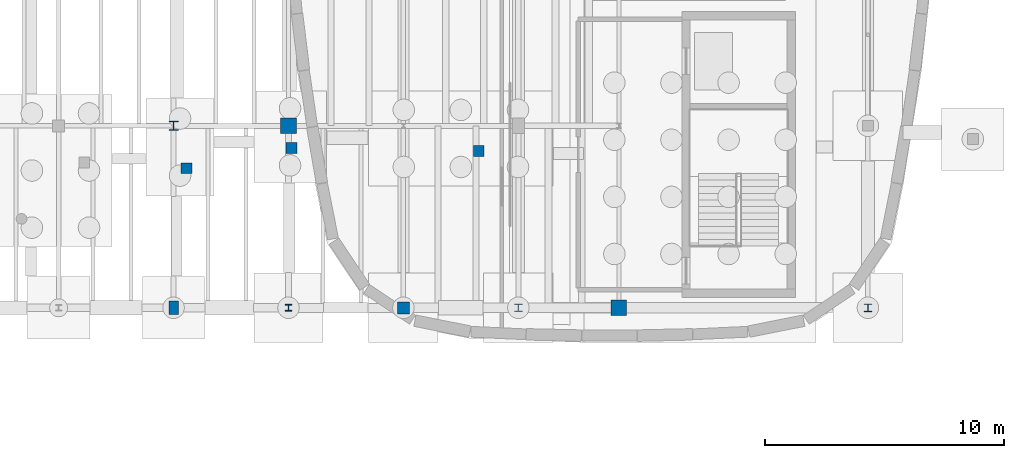
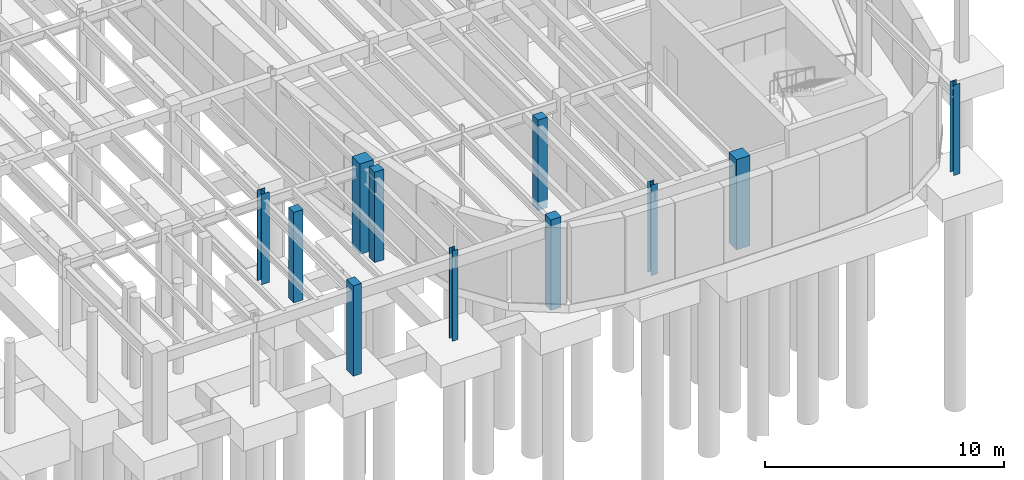
# One storey, part 19 of 45: 11 columns.
"""IFC4 building model written with IfcOpenShell, lengths in metres."""

from ifc_helpers import new_model, si_unit, direction, frame, origin, origin_2d, place, context, subcontext, project, spatial, rectangle, i_section, extrude, material, material_profile, profile_set, type_object, element, save


model = new_model("IFC4")

# Units and contexts
model_context = context("Model", 3, precision=1e-05, world=origin(), true_north=direction((0.0, 1.0)))
body_context = subcontext(model_context, "Body", "Model", "MODEL_VIEW")
ifc_project = project(units=[si_unit("LENGTHUNIT", "METRE"), si_unit("AREAUNIT", "SQUARE_METRE"), si_unit("VOLUMEUNIT", "CUBIC_METRE"), si_unit("PLANEANGLEUNIT", "RADIAN"), si_unit("MASSUNIT", "GRAM", prefix="KILO")], contexts=[model_context])

# Site, building, storey
site_placement = place(None, origin())
site = spatial("IfcSite", under=ifc_project, at=site_placement, CompositionType="ELEMENT")
building_placement = place(site_placement, origin())
building = spatial("IfcBuilding", under=site, at=building_placement, Name="Corveleigh Park Community Centre", CompositionType="ELEMENT")
storey_placement = place(building_placement, frame((0.0, 0.0, -4.199951171875)))
storey = spatial("IfcBuildingStorey", under=building, at=storey_placement, Name="B1", CompositionType="ELEMENT", Elevation=-4.199951171875)

# Columns
ifc_material_1 = material(Name="Concrete C40/50", Category="concrete")
ifc_material_profile_1 = material_profile(ifc_material_1, rectangle(XDim=0.39990234375, YDim=0.550048828125, at=origin_2d()), Name="RC-400x550", Category="concrete")
ifc_profile_set_1 = profile_set([ifc_material_profile_1], Name="Concrete C40/50")
column_type_1 = type_object("IfcColumnType", Name="COL-RC-400x550", PredefinedType="COLUMN", material=ifc_profile_set_1)
column_1_placement = place(storey_placement, frame((139.39990234375, 58.60009765625, -0.4150390625), z_axis=(0.0, 0.0, 1.0), x_axis=(1.0, 0.0, 0.0)))
element("IfcColumn", 1, at=column_1_placement, inside=storey, type_object=column_type_1, Name="Column V4-X2Y0 B1", PredefinedType="COLUMN", context=body_context, shape_type="SweptSolid", body=[
    extrude(rectangle(XDim=0.39990234375, YDim=0.550048828125, at=origin_2d()), origin(), (0.0, 0.0, 1.0), 4.614990234375),
])
ifc_material_profile_2 = material_profile(ifc_material_1, rectangle(XDim=0.449951171875, YDim=0.449951171875, at=origin_2d()), Name="RC-450x450", Category="concrete")
ifc_profile_set_2 = profile_set([ifc_material_profile_2], Name="Concrete C40/50")
column_type_2 = type_object("IfcColumnType", Name="COL-RC-450x450", PredefinedType="COLUMN", material=ifc_profile_set_2)
for number, where, z_axis, x_axis, name in (
    (2, (139.94091796875, 64.424072265625, -0.4150390625), (0.0, 0.0, 1.0), (1.0, 0.0, 0.0), "External deck support pier 135 B1"),
    (3, (144.3291015625, 65.27294921875, -0.4150390625), (0.0, 0.0, 1.0), (1.0, 0.0, 0.0), "External deck support pier 137 B1"),
    (4, (152.14697265625, 65.14404296875, -0.4150390625), (0.0, 0.0, 1.0), (1.0, 0.0, 0.0), "External deck support pier 139 B1"),
):
    element("IfcColumn", number, at=place(storey_placement, frame(where, z_axis=z_axis, x_axis=x_axis)), inside=storey, type_object=column_type_2, Name=name, PredefinedType="COLUMN", context=body_context, shape_type="SweptSolid", body=[
        extrude(rectangle(XDim=0.449951171875, YDim=0.449951171875, at=origin_2d()), origin(), (0.0, 0.0, 1.0), 4.614990234375),
    ])
ifc_material_profile_3 = material_profile(ifc_material_1, rectangle(XDim=0.5, YDim=0.5, at=origin_2d()), Name="RC-500x500", Category="concrete")
ifc_profile_set_3 = profile_set([ifc_material_profile_3], Name="Concrete C40/50")
column_type_3 = type_object("IfcColumnType", Name="COL-RC-500x500", PredefinedType="COLUMN", material=ifc_profile_set_3)
column_2_placement = place(storey_placement, frame((149.0, 58.60009765625, -0.4150390625), z_axis=(0.0, 0.0, 1.0), x_axis=(1.0, 0.0, 0.0)))
element("IfcColumn", 5, at=column_2_placement, inside=storey, type_object=column_type_3, Name="Column V4-X4Y0 B1", PredefinedType="COLUMN", context=body_context, shape_type="SweptSolid", body=[
    extrude(rectangle(XDim=0.5, YDim=0.5, at=origin_2d()), origin(), (0.0, 0.0, 1.0), 4.614990234375),
])
ifc_material_profile_4 = material_profile(ifc_material_1, rectangle(XDim=0.64990234375, YDim=0.64990234375, at=origin_2d()), Name="RC-650x650", Category="concrete")
ifc_profile_set_4 = profile_set([ifc_material_profile_4], Name="Concrete C40/50")
column_type_4 = type_object("IfcColumnType", Name="COL-RC-650x650", PredefinedType="COLUMN", material=ifc_profile_set_4)
for number, where, z_axis, x_axis, name in (
    (6, (144.199951171875, 66.199951171875, -0.4150390625), (0.0, 0.0, 1.0), (1.0, 0.0, 0.0), "Column V4-X3Y1 B1"),
    (7, (158.0, 58.60009765625, -0.4150390625), (0.0, 0.0, 1.0), (1.0, 0.0, 0.0), "Column V4-X6Y0 B1"),
):
    element("IfcColumn", number, at=place(storey_placement, frame(where, z_axis=z_axis, x_axis=x_axis)), inside=storey, type_object=column_type_4, Name=name, PredefinedType="COLUMN", context=body_context, shape_type="SweptSolid", body=[
        extrude(rectangle(XDim=0.64990234375, YDim=0.64990234375, at=origin_2d()), origin(), (0.0, 0.0, 1.0), 4.614990234375),
    ])
ifc_material_2 = material(Name="Steel S355", Category="steel")
ifc_material_profile_5 = material_profile(ifc_material_2, i_section(OverallWidth=0.26123046875, OverallDepth=0.2763671875, WebThickness=0.015380859375, FlangeThickness=0.025390625, at=origin_2d()), Name="UKC 254x254x132", Category="steel")
ifc_profile_set_5 = profile_set([ifc_material_profile_5], Name="Steel S355")
column_type_5 = type_object("IfcColumnType", Name="COL-STL-UKC254x132", PredefinedType="COLUMN", material=ifc_profile_set_5)
column_3_placement = place(storey_placement, frame((144.199951171875, 58.60009765625, -0.4150390625), z_axis=(0.0, 0.0, 1.0), x_axis=(1.0, 0.0, 0.0)))
element("IfcColumn", 8, at=column_3_placement, inside=storey, type_object=column_type_5, Name="Column V4-X3Y0 B1", PredefinedType="COLUMN", context=body_context, shape_type="SweptSolid", body=[
    extrude(i_section(OverallWidth=0.26123046875, OverallDepth=0.2763671875, WebThickness=0.015380859375, FlangeThickness=0.025390625, at=origin_2d()), origin(), (0.0, 0.0, 1.0), 4.614990234375),
])
ifc_material_profile_6 = material_profile(ifc_material_2, i_section(OverallWidth=0.307373046875, OverallDepth=0.314453125, WebThickness=0.011962890625, FlangeThickness=0.018798828125, at=origin_2d()), Name="UKC 305x305x118", Category="steel")
ifc_profile_set_6 = profile_set([ifc_material_profile_6], Name="Steel S355")
column_type_6 = type_object("IfcColumnType", Name="COL-STL-UKC305x118", PredefinedType="COLUMN", material=ifc_profile_set_6)
column_4_placement = place(storey_placement, frame((168.39990234375, 58.60009765625, -0.4150390625), z_axis=(0.0, 0.0, 1.0), x_axis=(1.0, 0.0, 0.0)))
element("IfcColumn", 9, at=column_4_placement, inside=storey, type_object=column_type_6, Name="Column V4-X7Y0 B1", PredefinedType="COLUMN", context=body_context, shape_type="SweptSolid", body=[
    extrude(i_section(OverallWidth=0.307373046875, OverallDepth=0.314453125, WebThickness=0.011962890625, FlangeThickness=0.018798828125, at=origin_2d()), origin(), (0.0, 0.0, 1.0), 4.614990234375),
])
ifc_material_profile_7 = material_profile(ifc_material_2, i_section(OverallWidth=0.305419921875, OverallDepth=0.307861328125, WebThickness=0.010009765625, FlangeThickness=0.015380859375, at=origin_2d()), Name="UKC 305x305x97", Category="steel")
ifc_profile_set_7 = profile_set([ifc_material_profile_7], Name="Steel S355")
column_type_7 = type_object("IfcColumnType", Name="COL-STL-UKC305x97", PredefinedType="COLUMN", material=ifc_profile_set_7)
column_5_placement = place(storey_placement, frame((153.800048828125, 58.60009765625, -0.4150390625), z_axis=(0.0, 0.0, 1.0), x_axis=(1.0, 0.0, 0.0)))
element("IfcColumn", 10, at=column_5_placement, inside=storey, type_object=column_type_7, Name="Column V4-X5Y0 B1", PredefinedType="COLUMN", context=body_context, shape_type="SweptSolid", body=[
    extrude(i_section(OverallWidth=0.305419921875, OverallDepth=0.307861328125, WebThickness=0.010009765625, FlangeThickness=0.015380859375, at=origin_2d()), origin(), (0.0, 0.0, 1.0), 4.614990234375),
])
ifc_material_profile_8 = material_profile(ifc_material_2, i_section(OverallWidth=0.37255859375, OverallDepth=0.3681640625, WebThickness=0.014404296875, FlangeThickness=0.023681640625, at=origin_2d()), Name="UKC 356x368x177", Category="steel")
ifc_profile_set_8 = profile_set([ifc_material_profile_8], Name="Steel S355")
column_type_8 = type_object("IfcColumnType", Name="COL-STL-UKC356x177", PredefinedType="COLUMN", material=ifc_profile_set_8)
column_6_placement = place(storey_placement, frame((139.39990234375, 66.199951171875, -0.4150390625), z_axis=(0.0, 0.0, 1.0), x_axis=(1.0, 0.0, 0.0)))
element("IfcColumn", 11, at=column_6_placement, inside=storey, type_object=column_type_8, Name="Column V4-X2Y1 B1", PredefinedType="COLUMN", context=body_context, shape_type="SweptSolid", body=[
    extrude(i_section(OverallWidth=0.37255859375, OverallDepth=0.3681640625, WebThickness=0.014404296875, FlangeThickness=0.023681640625, at=origin_2d()), origin(), (0.0, 0.0, 1.0), 4.614990234375),
])

save(model, "model.ifc")
